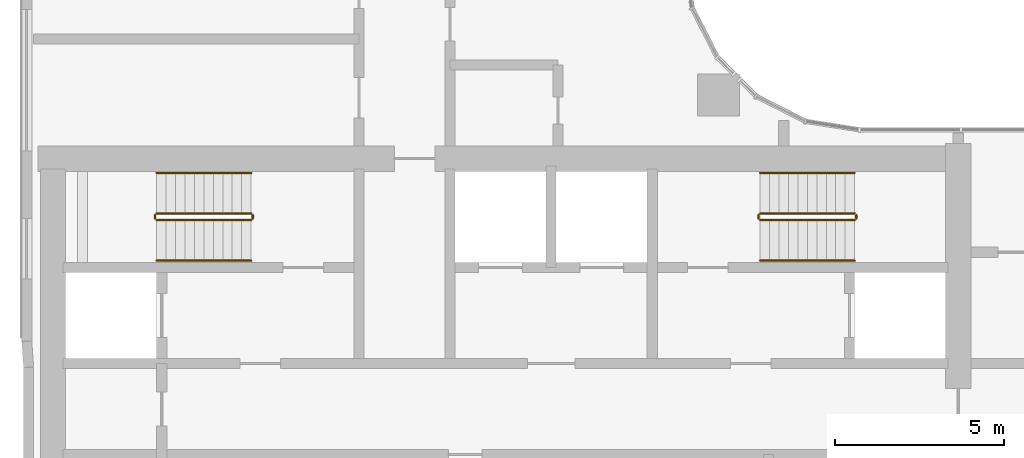
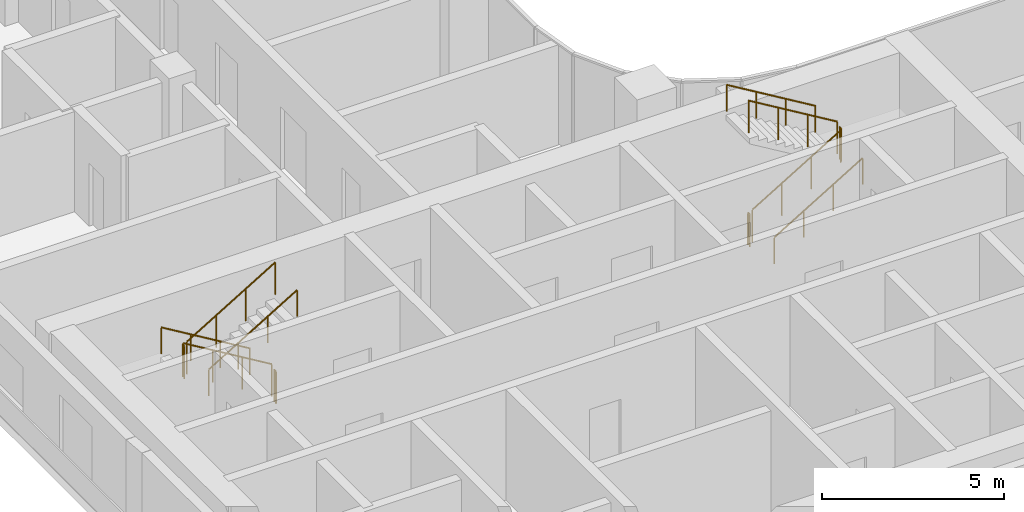
# One storey, part 29 of 35: 12 railings.
"""IFC4 building model written with IfcOpenShell, lengths in metres."""

from ifc_helpers import new_model, si_unit, direction, frame, origin, origin_2d, place, context, subcontext, project, spatial, circle, extrude, material, type_object, element, save


model = new_model("IFC4")

# Units and contexts
model_context = context("Model", 3, precision=1e-05, world=origin(), true_north=direction((0.0, 1.0)))
body_context = subcontext(model_context, "Body", "Model", "MODEL_VIEW")
ifc_project = project(units=[si_unit("LENGTHUNIT", "METRE"), si_unit("AREAUNIT", "SQUARE_METRE"), si_unit("VOLUMEUNIT", "CUBIC_METRE"), si_unit("PLANEANGLEUNIT", "RADIAN"), si_unit("MASSUNIT", "GRAM", prefix="KILO")], contexts=[model_context])

# Site, building, storey
site_placement = place(None, origin())
site = spatial("IfcSite", under=ifc_project, at=site_placement, CompositionType="ELEMENT")
building_placement = place(site_placement, origin())
building = spatial("IfcBuilding", under=site, at=building_placement, Name="Ogive Portal Towers", CompositionType="ELEMENT")
storey_placement = place(building_placement, frame((0.0, 0.0, 94.5)))
storey = spatial("IfcBuildingStorey", under=building, at=storey_placement, Name="L22", CompositionType="ELEMENT", Elevation=94.5)

# Railings
ifc_material_1 = material(Name="Stainless steel balustrade", Category="steel")
railing_type_1 = type_object("IfcRailingType", Name="INT-GUARD", PredefinedType="GUARDRAIL", material=ifc_material_1)
railing_1_placement = place(storey_placement, frame((37.449951171875, 37.800048828125, 0.168212890625)))
element("IfcRailing", 1, at=railing_1_placement, inside=storey, type_object=railing_type_1, Name="L22 ST-A1 stair guard 1", PredefinedType="GUARDRAIL", context=body_context, shape_type="SweptSolid", body=[
    extrude(circle(Radius=0.02392578125, at=origin_2d()), frame((0.0, 0.0, 1.076171875), z_axis=(-0.857242210791, 0.0, 0.514913383045), x_axis=(0.0, -1.0, 0.0)), (0.0, 0.0, 1.0), 3.266357421875),
    extrude(circle(Radius=0.02099609375, at=origin_2d()), origin(), (0.0, 0.0, 1.0), 1.052001953125),
    extrude(circle(Radius=0.02099609375, at=origin_2d()), frame((-0.933349609375, 0.0, 0.560546875)), (0.0, 0.0, 1.0), 1.052001953125),
    extrude(circle(Radius=0.02099609375, at=origin_2d()), frame((-1.86669921875, 0.0, 1.121337890625)), (0.0, 0.0, 1.0), 1.052001953125),
    extrude(circle(Radius=0.02099609375, at=origin_2d()), frame((-2.800048828125, 0.0, 1.681884765625)), (0.0, 0.0, 1.0), 1.052001953125),
])
railing_2_placement = place(storey_placement, frame((34.60009765625, 37.75, 1.85009765625)))
element("IfcRailing", 2, at=railing_2_placement, inside=storey, type_object=railing_type_1, Name="L22 ST-A1 stair guard 2", PredefinedType="GUARDRAIL", context=body_context, shape_type="SweptSolid", body=[
    extrude(circle(Radius=0.02392578125, at=origin_2d()), frame((0.0, 0.0, 1.076171875), z_axis=(0.0, -1.0, 0.0), x_axis=(1.0, 0.0, 0.0)), (0.0, 0.0, 1.0), 0.10009765625),
    extrude(circle(Radius=0.02099609375, at=origin_2d()), origin(), (0.0, 0.0, 1.0), 1.052001953125),
    extrude(circle(Radius=0.02099609375, at=origin_2d()), frame((0.0, -0.10009765625, 0.0)), (0.0, 0.0, 1.0), 1.052001953125),
])
railing_3_placement = place(storey_placement, frame((34.64990234375, 37.60009765625, 2.01806640625)))
element("IfcRailing", 3, at=railing_3_placement, inside=storey, type_object=railing_type_1, Name="L22 ST-A1 stair guard 3", PredefinedType="GUARDRAIL", context=body_context, shape_type="SweptSolid", body=[
    extrude(circle(Radius=0.02392578125, at=origin_2d()), frame((0.0, 0.0, 1.076171875), z_axis=(0.857242210791, 0.0, 0.514913383045), x_axis=(0.0, 1.0, 0.0)), (0.0, 0.0, 1.0), 3.266357421875),
    extrude(circle(Radius=0.02099609375, at=origin_2d()), origin(), (0.0, 0.0, 1.0), 1.052001953125),
    extrude(circle(Radius=0.02099609375, at=origin_2d()), frame((0.933349609375, 0.0, 0.560546875)), (0.0, 0.0, 1.0), 1.052001953125),
    extrude(circle(Radius=0.02099609375, at=origin_2d()), frame((1.86669921875, 0.0, 1.121337890625)), (0.0, 0.0, 1.0), 1.052001953125),
    extrude(circle(Radius=0.02099609375, at=origin_2d()), frame((2.800048828125, 0.0, 1.681884765625)), (0.0, 0.0, 1.0), 1.052001953125),
])
railing_4_placement = place(storey_placement, frame((37.5, 37.75, 0.0)))
element("IfcRailing", 4, at=railing_4_placement, inside=storey, type_object=railing_type_1, Name="L22 ST-A1 stair guard 4", PredefinedType="GUARDRAIL", context=body_context, shape_type="SweptSolid", body=[
    extrude(circle(Radius=0.02392578125, at=origin_2d()), frame((0.0, 0.0, 1.076171875), z_axis=(0.0, -1.0, 0.0), x_axis=(1.0, 0.0, 0.0)), (0.0, 0.0, 1.0), 0.10009765625),
    extrude(circle(Radius=0.02099609375, at=origin_2d()), origin(), (0.0, 0.0, 1.0), 1.052001953125),
    extrude(circle(Radius=0.02099609375, at=origin_2d()), frame((0.0, -0.10009765625, 0.0)), (0.0, 0.0, 1.0), 1.052001953125),
])
railing_5_placement = place(storey_placement, frame((52.550048828125, 37.60009765625, 0.168212890625)))
element("IfcRailing", 5, at=railing_5_placement, inside=storey, type_object=railing_type_1, Name="L22 ST-A2 stair guard 1", PredefinedType="GUARDRAIL", context=body_context, shape_type="SweptSolid", body=[
    extrude(circle(Radius=0.02392578125, at=origin_2d()), frame((0.0, 0.0, 1.076171875), z_axis=(0.857242210791, 0.0, 0.514913383045), x_axis=(0.0, 1.0, 0.0)), (0.0, 0.0, 1.0), 3.266357421875),
    extrude(circle(Radius=0.02099609375, at=origin_2d()), origin(), (0.0, 0.0, 1.0), 1.052001953125),
    extrude(circle(Radius=0.02099609375, at=origin_2d()), frame((0.933349609375, 0.0, 0.560546875)), (0.0, 0.0, 1.0), 1.052001953125),
    extrude(circle(Radius=0.02099609375, at=origin_2d()), frame((1.86669921875, 0.0, 1.121337890625)), (0.0, 0.0, 1.0), 1.052001953125),
    extrude(circle(Radius=0.02099609375, at=origin_2d()), frame((2.800048828125, 0.0, 1.681884765625)), (0.0, 0.0, 1.0), 1.052001953125),
])
railing_6_placement = place(storey_placement, frame((55.39990234375, 37.64990234375, 1.85009765625)))
element("IfcRailing", 6, at=railing_6_placement, inside=storey, type_object=railing_type_1, Name="L22 ST-A2 stair guard 2", PredefinedType="GUARDRAIL", context=body_context, shape_type="SweptSolid", body=[
    extrude(circle(Radius=0.02392578125, at=origin_2d()), frame((0.0, 0.0, 1.076171875), z_axis=(0.0, 1.0, 0.0), x_axis=(-1.0, 0.0, 0.0)), (0.0, 0.0, 1.0), 0.10009765625),
    extrude(circle(Radius=0.02099609375, at=origin_2d()), origin(), (0.0, 0.0, 1.0), 1.052001953125),
    extrude(circle(Radius=0.02099609375, at=origin_2d()), frame((0.0, 0.10009765625, 0.0)), (0.0, 0.0, 1.0), 1.052001953125),
])
railing_7_placement = place(storey_placement, frame((55.35009765625, 37.800048828125, 2.01806640625)))
element("IfcRailing", 7, at=railing_7_placement, inside=storey, type_object=railing_type_1, Name="L22 ST-A2 stair guard 3", PredefinedType="GUARDRAIL", context=body_context, shape_type="SweptSolid", body=[
    extrude(circle(Radius=0.02392578125, at=origin_2d()), frame((0.0, 0.0, 1.076171875), z_axis=(-0.857242210791, 0.0, 0.514913383045), x_axis=(0.0, -1.0, 0.0)), (0.0, 0.0, 1.0), 3.266357421875),
    extrude(circle(Radius=0.02099609375, at=origin_2d()), origin(), (0.0, 0.0, 1.0), 1.052001953125),
    extrude(circle(Radius=0.02099609375, at=origin_2d()), frame((-0.933349609375, 0.0, 0.560546875)), (0.0, 0.0, 1.0), 1.052001953125),
    extrude(circle(Radius=0.02099609375, at=origin_2d()), frame((-1.86669921875, 0.0, 1.121337890625)), (0.0, 0.0, 1.0), 1.052001953125),
    extrude(circle(Radius=0.02099609375, at=origin_2d()), frame((-2.800048828125, 0.0, 1.681884765625)), (0.0, 0.0, 1.0), 1.052001953125),
])
railing_8_placement = place(storey_placement, frame((52.5, 37.64990234375, 0.0)))
element("IfcRailing", 8, at=railing_8_placement, inside=storey, type_object=railing_type_1, Name="L22 ST-A2 stair guard 4", PredefinedType="GUARDRAIL", context=body_context, shape_type="SweptSolid", body=[
    extrude(circle(Radius=0.02392578125, at=origin_2d()), frame((0.0, 0.0, 1.076171875), z_axis=(0.0, 1.0, 0.0), x_axis=(-1.0, 0.0, 0.0)), (0.0, 0.0, 1.0), 0.10009765625),
    extrude(circle(Radius=0.02099609375, at=origin_2d()), origin(), (0.0, 0.0, 1.0), 1.052001953125),
    extrude(circle(Radius=0.02099609375, at=origin_2d()), frame((0.0, 0.10009765625, 0.0)), (0.0, 0.0, 1.0), 1.052001953125),
])
ifc_material_2 = material(Name="Stainless steel handrail", Category="steel")
railing_type_2 = type_object("IfcRailingType", Name="INT-HANDRAIL", PredefinedType="HANDRAIL", material=ifc_material_2)
railing_9_placement = place(storey_placement, frame((37.449951171875, 39.0, 0.168212890625)))
element("IfcRailing", 9, at=railing_9_placement, inside=storey, type_object=railing_type_2, Name="L22 ST-A1 stair handrail 1", PredefinedType="HANDRAIL", context=body_context, shape_type="SweptSolid", body=[
    extrude(circle(Radius=0.02392578125, at=origin_2d()), frame((0.0, 0.0, 0.8759765625), z_axis=(-0.857242210791, 0.0, 0.514913383045), x_axis=(0.0, -1.0, 0.0)), (0.0, 0.0, 1.0), 3.266357421875),
    extrude(circle(Radius=0.02099609375, at=origin_2d()), origin(), (0.0, 0.0, 1.0), 0.851806640625),
    extrude(circle(Radius=0.02099609375, at=origin_2d()), frame((-0.933349609375, 0.0, 0.560546875)), (0.0, 0.0, 1.0), 0.851806640625),
    extrude(circle(Radius=0.02099609375, at=origin_2d()), frame((-1.86669921875, 0.0, 1.121337890625)), (0.0, 0.0, 1.0), 0.851806640625),
    extrude(circle(Radius=0.02099609375, at=origin_2d()), frame((-2.800048828125, 0.0, 1.681884765625)), (0.0, 0.0, 1.0), 0.851806640625),
])
for number, where, name in (
    (10, (34.64990234375, 36.39990234375, 2.01806640625), "L22 ST-A1 stair handrail 2"),
    (11, (52.550048828125, 36.39990234375, 0.168212890625), "L22 ST-A2 stair handrail 1"),
):
    element("IfcRailing", number, at=place(storey_placement, frame(where)), inside=storey, type_object=railing_type_2, Name=name, PredefinedType="HANDRAIL", context=body_context, shape_type="SweptSolid", body=[
        extrude(circle(Radius=0.02392578125, at=origin_2d()), frame((0.0, 0.0, 0.8759765625), z_axis=(0.857242210791, 0.0, 0.514913383045), x_axis=(0.0, 1.0, 0.0)), (0.0, 0.0, 1.0), 3.266357421875),
        extrude(circle(Radius=0.02099609375, at=origin_2d()), origin(), (0.0, 0.0, 1.0), 0.851806640625),
        extrude(circle(Radius=0.02099609375, at=origin_2d()), frame((0.933349609375, 0.0, 0.560546875)), (0.0, 0.0, 1.0), 0.851806640625),
        extrude(circle(Radius=0.02099609375, at=origin_2d()), frame((1.86669921875, 0.0, 1.121337890625)), (0.0, 0.0, 1.0), 0.851806640625),
        extrude(circle(Radius=0.02099609375, at=origin_2d()), frame((2.800048828125, 0.0, 1.681884765625)), (0.0, 0.0, 1.0), 0.851806640625),
    ])
railing_10_placement = place(storey_placement, frame((55.35009765625, 39.0, 2.01806640625)))
element("IfcRailing", 12, at=railing_10_placement, inside=storey, type_object=railing_type_2, Name="L22 ST-A2 stair handrail 2", PredefinedType="HANDRAIL", context=body_context, shape_type="SweptSolid", body=[
    extrude(circle(Radius=0.02392578125, at=origin_2d()), frame((0.0, 0.0, 0.8759765625), z_axis=(-0.857242210791, 0.0, 0.514913383045), x_axis=(0.0, -1.0, 0.0)), (0.0, 0.0, 1.0), 3.266357421875),
    extrude(circle(Radius=0.02099609375, at=origin_2d()), origin(), (0.0, 0.0, 1.0), 0.851806640625),
    extrude(circle(Radius=0.02099609375, at=origin_2d()), frame((-0.933349609375, 0.0, 0.560546875)), (0.0, 0.0, 1.0), 0.851806640625),
    extrude(circle(Radius=0.02099609375, at=origin_2d()), frame((-1.86669921875, 0.0, 1.121337890625)), (0.0, 0.0, 1.0), 0.851806640625),
    extrude(circle(Radius=0.02099609375, at=origin_2d()), frame((-2.800048828125, 0.0, 1.681884765625)), (0.0, 0.0, 1.0), 0.851806640625),
])

save(model, "model.ifc")
